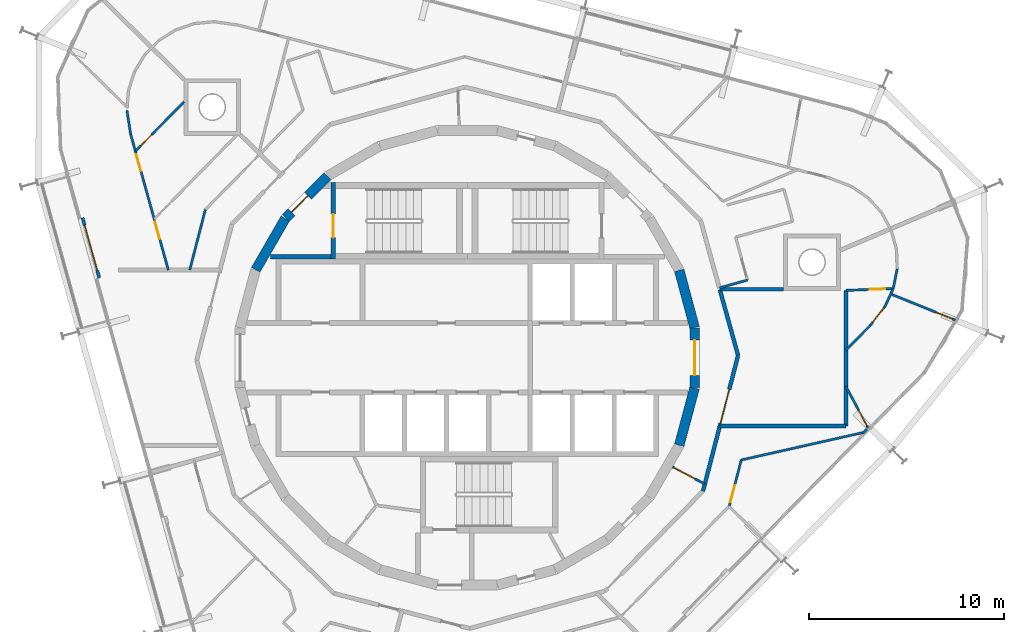
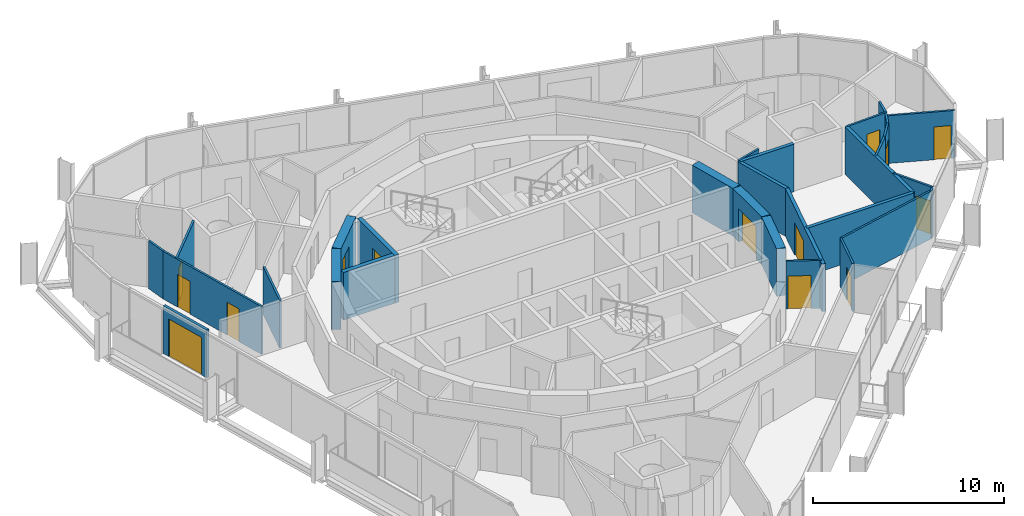
# One storey, part 12 of 15: 29 walls, 14 doors, 14 openings.
"""IFC4 building model written with IfcOpenShell, lengths in metres."""

from ifc_helpers import new_model, si_unit, direction, frame, frame_2d, origin, place, context, subcontext, project, spatial, rectangle, extrude, material, layer, layer_set, type_object, element, fill, save


model = new_model("IFC4")

# Units and contexts
model_context = context("Model", 3, precision=1e-05, world=origin(), true_north=direction((0.0, 1.0)))
body_context = subcontext(model_context, "Body", "Model", "MODEL_VIEW")
ifc_project = project(units=[si_unit("LENGTHUNIT", "METRE"), si_unit("AREAUNIT", "SQUARE_METRE"), si_unit("VOLUMEUNIT", "CUBIC_METRE"), si_unit("PLANEANGLEUNIT", "RADIAN"), si_unit("MASSUNIT", "GRAM", prefix="KILO")], contexts=[model_context])

# Site, building, storey
site_placement = place(None, origin())
site = spatial("IfcSite", under=ifc_project, at=site_placement, CompositionType="ELEMENT")
building_placement = place(site_placement, origin())
building = spatial("IfcBuilding", under=site, at=building_placement, Name="Spindle Arch Residences", CompositionType="ELEMENT")
storey_placement = place(building_placement, frame((0.0, 0.0, 322.699951171875)))
storey = spatial("IfcBuildingStorey", under=building, at=storey_placement, Name="L83", CompositionType="ELEMENT", Elevation=322.699951171875)

# Wall
ifc_material_1 = material(Name="Concrete C50/60", Category="concrete")
ifc_layer_1 = layer(ifc_material_1, 0.5)
ifc_layer_set_1 = layer_set([ifc_layer_1], Name="Core outline wall 500")
wall_type_1 = type_object("IfcWallType", Name="Core outline wall 500", PredefinedType="SHEAR", material=ifc_layer_set_1)
wall_1_placement = place(storey_placement, frame((10.858154296875, -4.479248046875, 0.0), z_axis=(0.0, 0.0, 1.0), x_axis=(0.258734743916, 0.965948410781, 0.0)))
element("IfcWall", 1, at=wall_1_placement, inside=storey, type_object=wall_type_1, Name="Core outline wall 5", PredefinedType="SHEAR", context=body_context, shape_type="SweptSolid", body=[
    extrude(rectangle(XDim=3.03271484375, YDim=0.5, at=frame_2d((1.516357421875, 0.0))), origin(), (0.0, 0.0, 1.0), 3.050048828125),
])

# Wall, opening, door
wall_2_placement = place(storey_placement, frame((11.647216796875, -1.516357421875, 0.0), z_axis=(0.0, 0.0, 1.0), x_axis=(0.0, 1.0, 0.0)))
wall_2 = element("IfcWall", 2, at=wall_2_placement, inside=storey, type_object=wall_type_1, Name="Core outline wall 6", PredefinedType="SHEAR", context=body_context, shape_type="SweptSolid", body=[
    extrude(rectangle(XDim=3.03271484375, YDim=0.5, at=frame_2d((1.516357421875, 0.0))), origin(), (0.0, 0.0, 1.0), 3.050048828125),
])
opening_1_placement = place(wall_2_placement, frame((0.6162109375, 0.0, 0.0)))
opening_1 = element("IfcOpeningElement", 3, at=opening_1_placement, cuts=wall_2, Name="Opening R8C1-FE01", PredefinedType="OPENING", context=body_context, shape_type="SweptSolid", body=[
    extrude(rectangle(XDim=1.800048828125, YDim=2.10009765625, at=frame_2d((0.89990234375, 1.050048828125))), frame((0.0, 0.260009765625, 0.0), z_axis=(0.0, -1.0, 0.0), x_axis=(1.0, 0.0, 0.0)), (0.0, 0.0, 1.0), 0.52001953125),
])
ifc_material_2 = material(Name="Steel, fire-resisting door", Category="steel")
door_type_1 = type_object("IfcDoorType", Name="Fire-lift lobby door 1800x2100", OperationType="DOUBLE_DOOR_SINGLE_SWING", PredefinedType="DOOR", material=ifc_material_2)
door_1_placement = place(opening_1_placement, origin())
door_1 = element("IfcDoor", 4, at=door_1_placement, inside=storey, type_object=door_type_1, Name="Fire-lift lobby door R8C1-FE01", OperationType="DOUBLE_DOOR_SINGLE_SWING", OverallHeight=2.10009765625, OverallWidth=1.800048828125, PredefinedType="DOOR", context=body_context, shape_type="SweptSolid", body=[
    extrude(rectangle(XDim=1.800048828125, YDim=2.10009765625, at=frame_2d((0.89990234375, 1.050048828125))), frame((0.0, 0.02490234375, 0.0), z_axis=(0.0, -1.0, 0.0), x_axis=(1.0, 0.0, 0.0)), (0.0, 0.0, 1.0), 0.050048828125),
])
fill(opening_1, door_1)

# Wall
wall_3_placement = place(storey_placement, frame((11.642822265625, 1.5498046875, 0.0), z_axis=(0.0, 0.0, 1.0), x_axis=(-0.258734743916, 0.965948410781, 0.0)))
element("IfcWall", 5, at=wall_3_placement, inside=storey, type_object=wall_type_1, Name="Core outline wall 7", PredefinedType="SHEAR", context=body_context, shape_type="SweptSolid", body=[
    extrude(rectangle(XDim=3.03271484375, YDim=0.5, at=frame_2d((1.516357421875, 0.0))), origin(), (0.0, 0.0, 1.0), 3.050048828125),
])

# Wall, opening, door
wall_4_placement = place(storey_placement, frame((-7.163818359375, 9.30810546875, 0.0), z_axis=(0.0, 0.0, 1.0), x_axis=(-0.707106781187, -0.707106781187, 0.0)))
wall_4 = element("IfcWall", 6, at=wall_4_placement, inside=storey, type_object=wall_type_1, Name="Core outline wall 15", PredefinedType="SHEAR", context=body_context, shape_type="SweptSolid", body=[
    extrude(rectangle(XDim=3.032470703125, YDim=0.5, at=frame_2d((1.51611328125, 0.0))), origin(), (0.0, 0.0, 1.0), 3.050048828125),
])
opening_2_placement = place(wall_4_placement, frame((1.416259765625, 0.0, 0.0)))
opening_2 = element("IfcOpeningElement", 7, at=opening_2_placement, cuts=wall_4, Name="Opening R8C1-AD02", PredefinedType="OPENING", context=body_context, shape_type="SweptSolid", body=[
    extrude(rectangle(XDim=1.199951171875, YDim=2.10009765625, at=frame_2d((0.60009765625, 1.050048828125))), frame((0.0, 0.260009765625, 0.0), z_axis=(0.0, -1.0, 0.0), x_axis=(1.0, 0.0, 0.0)), (0.0, 0.0, 1.0), 0.52001953125),
])
ifc_material_3 = material(Name="Steel, fire-resisting door", Category="steel")
door_type_2 = type_object("IfcDoorType", Name="Stair airlock door 1200x2100", OperationType="SINGLE_SWING_LEFT", PredefinedType="DOOR", material=ifc_material_3)
door_2_placement = place(opening_2_placement, origin())
door_2 = element("IfcDoor", 8, at=door_2_placement, inside=storey, type_object=door_type_2, Name="Stair airlock door R8C1-AD02", OperationType="SINGLE_SWING_RIGHT", OverallHeight=2.10009765625, OverallWidth=1.199951171875, PredefinedType="DOOR", context=body_context, shape_type="SweptSolid", body=[
    extrude(rectangle(XDim=1.199951171875, YDim=2.10009765625, at=frame_2d((0.60009765625, 1.050048828125))), frame((0.0, 0.02490234375, 0.0), z_axis=(0.0, -1.0, 0.0), x_axis=(1.0, 0.0, 0.0)), (0.0, 0.0, 1.0), 0.050048828125),
])
fill(opening_2, door_2)

# Wall
wall_5_placement = place(storey_placement, frame((-9.32861328125, 7.13671875, 0.0), z_axis=(0.0, 0.0, 1.0), x_axis=(-0.500087131594, -0.865975092491, 0.0)))
element("IfcWall", 9, at=wall_5_placement, inside=storey, type_object=wall_type_1, Name="Core outline wall 16", PredefinedType="SHEAR", context=body_context, shape_type="SweptSolid", body=[
    extrude(rectangle(XDim=3.03271484375, YDim=0.5, at=frame_2d((1.516357421875, 0.0))), origin(), (0.0, 0.0, 1.0), 3.050048828125),
])

# Wall, opening, door
ifc_material_4 = material(Name="Plasterboard on steel studs", Category="steel")
ifc_layer_2 = layer(ifc_material_4, 0.1201171875)
ifc_layer_set_2 = layer_set([ifc_layer_2], Name="Corridor division wall 120")
wall_type_2 = type_object("IfcWallType", Name="Corridor division wall 120", PredefinedType="PARTITIONING", material=ifc_layer_set_2)
wall_6_placement = place(storey_placement, frame((10.510986328125, -5.5888671875, 0.0), z_axis=(0.0, 0.0, 1.0), x_axis=(0.882957311919, -0.469453283437, 0.0)))
wall_6 = element("IfcWall", 10, at=wall_6_placement, inside=storey, type_object=wall_type_2, Name="Corridor division wall R8C1-W002", PredefinedType="PARTITIONING", context=body_context, shape_type="SweptSolid", body=[
    extrude(rectangle(XDim=1.87646484375, YDim=0.1201171875, at=frame_2d((0.938232421875, 0.0))), origin(), (0.0, 0.0, 1.0), 3.050048828125),
])
opening_3_placement = place(wall_6_placement, frame((0.10009765625, 0.0, 0.0)))
opening_3 = element("IfcOpeningElement", 11, at=opening_3_placement, cuts=wall_6, Name="Opening R8C1-CD02", PredefinedType="OPENING", context=body_context, shape_type="SweptSolid", body=[
    extrude(rectangle(XDim=1.199951171875, YDim=2.10009765625, at=frame_2d((0.60009765625, 1.050048828125))), frame((0.0, 0.070068359375, 0.0), z_axis=(0.0, -1.0, 0.0), x_axis=(1.0, 0.0, 0.0)), (0.0, 0.0, 1.0), 0.14013671875),
])
ifc_material_5 = material(Name="Steel, fire-resisting door", Category="steel")
door_type_3 = type_object("IfcDoorType", Name="Corridor division door 1200x2100", OperationType="NOTDEFINED", PredefinedType="DOOR", material=ifc_material_5)
door_3_placement = place(opening_3_placement, origin())
door_3 = element("IfcDoor", 12, at=door_3_placement, inside=storey, type_object=door_type_3, Name="Corridor division door R8C1-CD02", OperationType="DOUBLE_DOOR_SINGLE_SWING", OverallHeight=2.10009765625, OverallWidth=1.199951171875, PredefinedType="DOOR", context=body_context, shape_type="SweptSolid", body=[
    extrude(rectangle(XDim=1.199951171875, YDim=2.10009765625, at=frame_2d((0.60009765625, 1.050048828125))), frame((0.0, 0.02490234375, 0.0), z_axis=(0.0, -1.0, 0.0), x_axis=(1.0, 0.0, 0.0)), (0.0, 0.0, 1.0), 0.050048828125),
])
fill(opening_3, door_3)

ifc_material_6 = material(Name="Calcium silicate block, plastered")
ifc_layer_3 = layer(ifc_material_6, 0.199951171875)
ifc_layer_set_3 = layer_set([ifc_layer_3], Name="Fire-lift lobby bay wall 200")
wall_type_3 = type_object("IfcWallType", Name="Fire-lift lobby bay wall 200", PredefinedType="STANDARD", material=ifc_layer_set_3)
wall_7_placement = place(storey_placement, frame((12.07421875, -6.831298828125, 0.0), z_axis=(0.0, 0.0, 1.0), x_axis=(0.250391063186, 0.968144780225, 0.0)))
wall_7 = element("IfcWall", 13, at=wall_7_placement, inside=storey, type_object=wall_type_3, Name="Fire-lift lobby bay wall R8C1-W004", PredefinedType="STANDARD", context=body_context, shape_type="SweptSolid", body=[
    extrude(rectangle(XDim=7.18115234375, YDim=0.199951171875, at=frame_2d((3.590576171875, 0.0))), origin(), (0.0, 0.0, 1.0), 3.050048828125),
])
opening_4_placement = place(wall_7_placement, frame((3.580810546875, 0.0, 0.0)))
opening_4 = element("IfcOpeningElement", 14, at=opening_4_placement, cuts=wall_7, Name="Opening R8C1-FB01", PredefinedType="OPENING", context=body_context, shape_type="SweptSolid", body=[
    extrude(rectangle(XDim=1.800048828125, YDim=2.10009765625, at=frame_2d((0.89990234375, 1.050048828125))), frame((0.0, 0.10986328125, 0.0), z_axis=(0.0, -1.0, 0.0), x_axis=(1.0, 0.0, 0.0)), (0.0, 0.0, 1.0), 0.219970703125),
])
ifc_material_7 = material(Name="Steel, fire-resisting door", Category="steel")
door_type_4 = type_object("IfcDoorType", Name="Fire-lift lobby bay door 1800x2100", OperationType="NOTDEFINED", PredefinedType="DOOR", material=ifc_material_7)
door_4_placement = place(opening_4_placement, origin())
door_4 = element("IfcDoor", 15, at=door_4_placement, inside=storey, type_object=door_type_4, Name="Fire-lift lobby bay door R8C1-FB01", OperationType="DOUBLE_DOOR_SINGLE_SWING", OverallHeight=2.10009765625, OverallWidth=1.800048828125, PredefinedType="DOOR", context=body_context, shape_type="SweptSolid", body=[
    extrude(rectangle(XDim=1.800048828125, YDim=2.10009765625, at=frame_2d((0.89990234375, 1.050048828125))), frame((0.0, 0.02490234375, 0.0), z_axis=(0.0, -1.0, 0.0), x_axis=(1.0, 0.0, 0.0)), (0.0, 0.0, 1.0), 0.050048828125),
])
fill(opening_4, door_4)

# Walls
wall_8_placement = place(storey_placement, frame((13.872314453125, 0.12109375, 0.0), z_axis=(0.0, 0.0, 1.0), x_axis=(-0.267291928416, 0.963615600228, 0.0)))
element("IfcWall", 16, at=wall_8_placement, inside=storey, type_object=wall_type_3, Name="Fire-lift lobby bay wall R8C1-W005", PredefinedType="STANDARD", context=body_context, shape_type="SweptSolid", body=[
    extrude(rectangle(XDim=3.506591796875, YDim=0.199951171875, at=frame_2d((1.75341796875, 0.0))), origin(), (0.0, 0.0, 1.0), 3.050048828125),
])
wall_9_placement = place(storey_placement, frame((16.20263671875, 3.510009765625, 0.0), z_axis=(0.0, 0.0, 1.0), x_axis=(-1.0, 0.0, 0.0)))
element("IfcWall", 17, at=wall_9_placement, inside=storey, type_object=wall_type_3, Name="Fire-lift lobby bay wall R8C1-W019", PredefinedType="STANDARD", context=body_context, shape_type="SweptSolid", body=[
    extrude(rectangle(XDim=3.260009765625, YDim=0.199951171875, at=frame_2d((1.6298828125, 0.0))), origin(), (0.0, 0.0, 1.0), 3.050048828125),
])
wall_10_placement = place(storey_placement, frame((12.935791015625, -3.5, 0.0), z_axis=(0.0, 0.0, 1.0), x_axis=(1.0, 0.0, 0.0)))
element("IfcWall", 18, at=wall_10_placement, inside=storey, type_object=wall_type_3, Name="Fire-lift lobby bay wall R8C1-W020", PredefinedType="STANDARD", context=body_context, shape_type="SweptSolid", body=[
    extrude(rectangle(XDim=6.464111328125, YDim=0.199951171875, at=frame_2d((3.23193359375, 0.0))), origin(), (0.0, 0.0, 1.0), 3.050048828125),
])
wall_11_placement = place(storey_placement, frame((19.39990234375, -3.5, 0.0), z_axis=(0.0, 0.0, 1.0), x_axis=(0.0, 1.0, 0.0)))
element("IfcWall", 19, at=wall_11_placement, inside=storey, type_object=wall_type_3, Name="Fire-lift lobby bay wall R8C1-W021", PredefinedType="STANDARD", context=body_context, shape_type="SweptSolid", body=[
    extrude(rectangle(XDim=6.953857421875, YDim=0.199951171875, at=frame_2d((3.47705078125, 0.0))), origin(), (0.0, 0.0, 1.0), 3.050048828125),
])
ifc_material_8 = material(Name="Plasterboard on steel studs", Category="steel")
ifc_layer_4 = layer(ifc_material_8, 0.1201171875)
ifc_layer_set_4 = layer_set([ifc_layer_4], Name="Flat partition 120")
wall_type_4 = type_object("IfcWallType", Name="Flat partition 120", PredefinedType="PARTITIONING", material=ifc_layer_set_4)
wall_12_placement = place(storey_placement, frame((12.927001953125, 3.5849609375, 0.0), z_axis=(0.0, 0.0, 1.0), x_axis=(0.963616756608, 0.26728775951, 0.0)))
element("IfcWall", 20, at=wall_12_placement, inside=storey, type_object=wall_type_4, Name="Flat partition R8C1-W030", PredefinedType="PARTITIONING", context=body_context, shape_type="SweptSolid", body=[
    extrude(rectangle(XDim=1.485107421875, YDim=0.1201171875, at=frame_2d((0.74267578125, 0.0))), origin(), (0.0, 0.0, 1.0), 3.050048828125),
])
wall_13_placement = place(storey_placement, frame((-13.42578125, 7.595947265625, 0.0), z_axis=(0.0, 0.0, 1.0), x_axis=(-0.250342106136, -0.968157440655, 0.0)))
element("IfcWall", 21, at=wall_13_placement, inside=storey, type_object=wall_type_4, Name="Flat partition R8C1-W058", PredefinedType="PARTITIONING", context=body_context, shape_type="SweptSolid", body=[
    extrude(rectangle(XDim=3.19775390625, YDim=0.1201171875, at=frame_2d((1.598876953125, 0.0))), origin(), (0.0, 0.0, 1.0), 3.050048828125),
])

# Wall, opening, door
wall_14_placement = place(storey_placement, frame((-17.01123046875, 10.582275390625, 0.0), z_axis=(0.0, 0.0, 1.0), x_axis=(0.700924288011, 0.713235685083, 0.0)))
wall_14 = element("IfcWall", 22, at=wall_14_placement, inside=storey, type_object=wall_type_4, Name="Flat partition R8C1-W063", PredefinedType="PARTITIONING", context=body_context, shape_type="SweptSolid", body=[
    extrude(rectangle(XDim=3.549560546875, YDim=0.1201171875, at=frame_2d((1.77490234375, 0.0))), origin(), (0.0, 0.0, 1.0), 3.050048828125),
])
opening_5_placement = place(wall_14_placement, frame((0.39990234375, 0.0, 0.0)))
opening_5 = element("IfcOpeningElement", 23, at=opening_5_placement, cuts=wall_14, Name="Opening R8C1-BD03", PredefinedType="OPENING", context=body_context, shape_type="SweptSolid", body=[
    extrude(rectangle(XDim=0.800048828125, YDim=2.10009765625, at=frame_2d((0.39990234375, 1.050048828125))), frame((0.0, 0.070068359375, 0.0), z_axis=(0.0, -1.0, 0.0), x_axis=(1.0, 0.0, 0.0)), (0.0, 0.0, 1.0), 0.14013671875),
])
ifc_material_9 = material(Name="Timber door set", Category="wood")
door_type_5 = type_object("IfcDoorType", Name="Bathroom door 800x2100", OperationType="NOTDEFINED", PredefinedType="DOOR", material=ifc_material_9)
door_5_placement = place(opening_5_placement, origin())
door_5 = element("IfcDoor", 24, at=door_5_placement, inside=storey, type_object=door_type_5, Name="Bathroom door R8C1-BD03", OperationType="SINGLE_SWING_LEFT", OverallHeight=2.10009765625, OverallWidth=0.800048828125, PredefinedType="DOOR", context=body_context, shape_type="SweptSolid", body=[
    extrude(rectangle(XDim=0.800048828125, YDim=2.10009765625, at=frame_2d((0.39990234375, 1.050048828125))), frame((0.0, 0.02490234375, 0.0), z_axis=(0.0, -1.0, 0.0), x_axis=(1.0, 0.0, 0.0)), (0.0, 0.0, 1.0), 0.050048828125),
])
fill(opening_5, door_5)

# Wall
wall_15_placement = place(storey_placement, frame((-17.44580078125, 12.681640625, 0.0), z_axis=(0.0, 0.0, 1.0), x_axis=(0.153612025092, -0.988131239131, 0.0)))
element("IfcWall", 25, at=wall_15_placement, inside=storey, type_object=wall_type_4, Name="Flat partition R8C1-W064", PredefinedType="PARTITIONING", context=body_context, shape_type="SweptSolid", body=[
    extrude(rectangle(XDim=1.22705078125, YDim=0.1201171875, at=frame_2d((0.613525390625, 0.0))), origin(), (0.0, 0.0, 1.0), 3.050048828125),
])

# Wall, openings, doors
wall_16_placement = place(storey_placement, frame((-17.25732421875, 11.46923828125, 0.0), z_axis=(0.0, 0.0, 1.0), x_axis=(0.267222501114, -0.963634855585, 0.0)))
wall_16 = element("IfcWall", 26, at=wall_16_placement, inside=storey, type_object=wall_type_4, Name="Flat partition R8C1-W065", PredefinedType="PARTITIONING", context=body_context, shape_type="SweptSolid", body=[
    extrude(rectangle(XDim=7.232177734375, YDim=0.1201171875, at=frame_2d((3.6162109375, 0.0))), origin(), (0.0, 0.0, 1.0), 3.050048828125),
])
opening_6_placement = place(wall_16_placement, frame((1.07421875, 0.0, 0.0)))
opening_6 = element("IfcOpeningElement", 27, at=opening_6_placement, cuts=wall_16, Name="Opening R8C1-ID10", PredefinedType="OPENING", context=body_context, shape_type="SweptSolid", body=[
    extrude(rectangle(XDim=0.89990234375, YDim=2.10009765625, at=frame_2d((0.449951171875, 1.050048828125))), frame((0.0, 0.070068359375, 0.0), z_axis=(0.0, -1.0, 0.0), x_axis=(1.0, 0.0, 0.0)), (0.0, 0.0, 1.0), 0.14013671875),
])
opening_7_placement = place(wall_16_placement, frame((4.682373046875, 0.0, 0.0)))
opening_7 = element("IfcOpeningElement", 28, at=opening_7_placement, cuts=wall_16, Name="Opening R8C1-ID12", PredefinedType="OPENING", context=body_context, shape_type="SweptSolid", body=[
    extrude(rectangle(XDim=0.89990234375, YDim=2.10009765625, at=frame_2d((0.449951171875, 1.050048828125))), frame((0.0, 0.070068359375, 0.0), z_axis=(0.0, -1.0, 0.0), x_axis=(1.0, 0.0, 0.0)), (0.0, 0.0, 1.0), 0.14013671875),
])
ifc_material_10 = material(Name="Timber door set", Category="wood")
door_type_6 = type_object("IfcDoorType", Name="Room door 900x2100", OperationType="NOTDEFINED", PredefinedType="DOOR", material=ifc_material_10)
door_6_placement = place(opening_6_placement, origin())
door_6 = element("IfcDoor", 29, at=door_6_placement, inside=storey, type_object=door_type_6, Name="Room door R8C1-ID10", OperationType="SINGLE_SWING_LEFT", OverallHeight=2.10009765625, OverallWidth=0.89990234375, PredefinedType="DOOR", context=body_context, shape_type="SweptSolid", body=[
    extrude(rectangle(XDim=0.89990234375, YDim=2.10009765625, at=frame_2d((0.449951171875, 1.050048828125))), frame((0.0, 0.02490234375, 0.0), z_axis=(0.0, -1.0, 0.0), x_axis=(1.0, 0.0, 0.0)), (0.0, 0.0, 1.0), 0.050048828125),
])
fill(opening_6, door_6)
door_7_placement = place(opening_7_placement, origin())
door_7 = element("IfcDoor", 30, at=door_7_placement, inside=storey, type_object=door_type_6, Name="Room door R8C1-ID12", OperationType="SINGLE_SWING_RIGHT", OverallHeight=2.10009765625, OverallWidth=0.89990234375, PredefinedType="DOOR", context=body_context, shape_type="SweptSolid", body=[
    extrude(rectangle(XDim=0.89990234375, YDim=2.10009765625, at=frame_2d((0.449951171875, 1.050048828125))), frame((0.0, 0.02490234375, 0.0), z_axis=(0.0, -1.0, 0.0), x_axis=(1.0, 0.0, 0.0)), (0.0, 0.0, 1.0), 0.050048828125),
])
fill(opening_7, door_7)

# Wall, opening, door
wall_17_placement = place(storey_placement, frame((20.534912109375, -3.592529296875, 0.0), z_axis=(0.0, 0.0, 1.0), x_axis=(-0.471340561072, 0.881951288614, 0.0)))
wall_17 = element("IfcWall", 31, at=wall_17_placement, inside=storey, type_object=wall_type_4, Name="Flat partition R8C1-W092", PredefinedType="PARTITIONING", context=body_context, shape_type="SweptSolid", body=[
    extrude(rectangle(XDim=2.407958984375, YDim=0.1201171875, at=frame_2d((1.2041015625, 0.0))), origin(), (0.0, 0.0, 1.0), 3.050048828125),
])
opening_8_placement = place(wall_17_placement, frame((0.1201171875, 0.0, 0.0)))
opening_8 = element("IfcOpeningElement", 32, at=opening_8_placement, cuts=wall_17, Name="Opening R8C1-ID21", PredefinedType="OPENING", context=body_context, shape_type="SweptSolid", body=[
    extrude(rectangle(XDim=0.89990234375, YDim=2.10009765625, at=frame_2d((0.449951171875, 1.050048828125))), frame((0.0, 0.070068359375, 0.0), z_axis=(0.0, -1.0, 0.0), x_axis=(1.0, 0.0, 0.0)), (0.0, 0.0, 1.0), 0.14013671875),
])
door_8_placement = place(opening_8_placement, origin())
door_8 = element("IfcDoor", 33, at=door_8_placement, inside=storey, type_object=door_type_6, Name="Room door R8C1-ID21", OperationType="SINGLE_SWING_RIGHT", OverallHeight=2.10009765625, OverallWidth=0.89990234375, PredefinedType="DOOR", context=body_context, shape_type="SweptSolid", body=[
    extrude(rectangle(XDim=0.89990234375, YDim=2.10009765625, at=frame_2d((0.449951171875, 1.050048828125))), frame((0.0, 0.02490234375, 0.0), z_axis=(0.0, -1.0, 0.0), x_axis=(1.0, 0.0, 0.0)), (0.0, 0.0, 1.0), 0.050048828125),
])
fill(opening_8, door_8)

wall_18_placement = place(storey_placement, frame((13.42578125, -7.595947265625, 0.0), z_axis=(0.0, 0.0, 1.0), x_axis=(0.250402253482, 0.968141886012, 0.0)))
wall_18 = element("IfcWall", 34, at=wall_18_placement, inside=storey, type_object=wall_type_4, Name="Flat partition R8C1-W094", PredefinedType="PARTITIONING", context=body_context, shape_type="SweptSolid", body=[
    extrude(rectangle(XDim=2.4365234375, YDim=0.1201171875, at=frame_2d((1.21826171875, 0.0))), origin(), (0.0, 0.0, 1.0), 3.050048828125),
])
opening_9_placement = place(wall_18_placement, frame((0.199951171875, 0.0, 0.0)))
opening_9 = element("IfcOpeningElement", 35, at=opening_9_placement, cuts=wall_18, Name="Opening R8C1-ID23", PredefinedType="OPENING", context=body_context, shape_type="SweptSolid", body=[
    extrude(rectangle(XDim=0.89990234375, YDim=2.10009765625, at=frame_2d((0.449951171875, 1.050048828125))), frame((0.0, 0.070068359375, 0.0), z_axis=(0.0, -1.0, 0.0), x_axis=(1.0, 0.0, 0.0)), (0.0, 0.0, 1.0), 0.14013671875),
])
door_9_placement = place(opening_9_placement, origin())
door_9 = element("IfcDoor", 36, at=door_9_placement, inside=storey, type_object=door_type_6, Name="Room door R8C1-ID23", OperationType="SINGLE_SWING_RIGHT", OverallHeight=2.10009765625, OverallWidth=0.89990234375, PredefinedType="DOOR", context=body_context, shape_type="SweptSolid", body=[
    extrude(rectangle(XDim=0.89990234375, YDim=2.10009765625, at=frame_2d((0.449951171875, 1.050048828125))), frame((0.0, 0.02490234375, 0.0), z_axis=(0.0, -1.0, 0.0), x_axis=(1.0, 0.0, 0.0)), (0.0, 0.0, 1.0), 0.050048828125),
])
fill(opening_9, door_9)

# Walls
wall_19_placement = place(storey_placement, frame((14.035888671875, -5.237060546875, 0.0), z_axis=(0.0, 0.0, 1.0), x_axis=(0.975645756324, 0.219352132805, 0.0)))
element("IfcWall", 37, at=wall_19_placement, inside=storey, type_object=wall_type_4, Name="Flat partition R8C1-W095", PredefinedType="PARTITIONING", context=body_context, shape_type="SweptSolid", body=[
    extrude(rectangle(XDim=6.42431640625, YDim=0.1201171875, at=frame_2d((3.212158203125, 0.0))), origin(), (0.0, 0.0, 1.0), 3.050048828125),
])
wall_20_placement = place(storey_placement, frame((20.471435546875, -3.6572265625, 0.0), z_axis=(0.0, 0.0, 1.0), x_axis=(-0.700842635321, -0.713315919153, 0.0)))
element("IfcWall", 38, at=wall_20_placement, inside=storey, type_object=wall_type_4, Name="Flat partition R8C1-W096", PredefinedType="PARTITIONING", context=body_context, shape_type="SweptSolid", body=[
    extrude(rectangle(XDim=0.313232421875, YDim=0.1201171875, at=frame_2d((0.15673828125, 0.0))), origin(), (0.0, 0.0, 1.0), 3.050048828125),
])
wall_21_placement = place(storey_placement, frame((21.827880859375, 3.558349609375, 0.0), z_axis=(0.0, 0.0, 1.0), x_axis=(-0.414726005229, -0.909946339399, 0.0)))
element("IfcWall", 39, at=wall_21_placement, inside=storey, type_object=wall_type_4, Name="Flat partition R8C1-W097", PredefinedType="PARTITIONING", context=body_context, shape_type="SweptSolid", body=[
    extrude(rectangle(XDim=1.01611328125, YDim=0.1201171875, at=frame_2d((0.508056640625, 0.0))), origin(), (0.0, 0.0, 1.0), 3.050048828125),
])

# Wall, opening, door
wall_22_placement = place(storey_placement, frame((21.406494140625, 2.6337890625, 0.0), z_axis=(0.0, 0.0, 1.0), x_axis=(-0.613444581667, -0.789737769911, 0.0)))
wall_22 = element("IfcWall", 40, at=wall_22_placement, inside=storey, type_object=wall_type_4, Name="Flat partition R8C1-W098", PredefinedType="PARTITIONING", context=body_context, shape_type="SweptSolid", body=[
    extrude(rectangle(XDim=1.22705078125, YDim=0.1201171875, at=frame_2d((0.613525390625, 0.0))), origin(), (0.0, 0.0, 1.0), 3.050048828125),
])
opening_10_placement = place(wall_22_placement, frame((0.1201171875, 0.0, 0.0)))
opening_10 = element("IfcOpeningElement", 41, at=opening_10_placement, cuts=wall_22, Name="Opening R8C1-ID24", PredefinedType="OPENING", context=body_context, shape_type="SweptSolid", body=[
    extrude(rectangle(XDim=0.89990234375, YDim=2.10009765625, at=frame_2d((0.449951171875, 1.050048828125))), frame((0.0, 0.070068359375, 0.0), z_axis=(0.0, -1.0, 0.0), x_axis=(1.0, 0.0, 0.0)), (0.0, 0.0, 1.0), 0.14013671875),
])
door_10_placement = place(opening_10_placement, origin())
door_10 = element("IfcDoor", 42, at=door_10_placement, inside=storey, type_object=door_type_6, Name="Room door R8C1-ID24", OperationType="SINGLE_SWING_RIGHT", OverallHeight=2.10009765625, OverallWidth=0.89990234375, PredefinedType="DOOR", context=body_context, shape_type="SweptSolid", body=[
    extrude(rectangle(XDim=0.89990234375, YDim=2.10009765625, at=frame_2d((0.449951171875, 1.050048828125))), frame((0.0, 0.02490234375, 0.0), z_axis=(0.0, -1.0, 0.0), x_axis=(1.0, 0.0, 0.0)), (0.0, 0.0, 1.0), 0.050048828125),
])
fill(opening_10, door_10)

# Wall
wall_23_placement = place(storey_placement, frame((20.65380859375, 1.664794921875, 0.0), z_axis=(0.0, 0.0, 1.0), x_axis=(-0.700870484553, -0.713288555833, 0.0)))
element("IfcWall", 43, at=wall_23_placement, inside=storey, type_object=wall_type_4, Name="Flat partition R8C1-W099", PredefinedType="PARTITIONING", context=body_context, shape_type="SweptSolid", body=[
    extrude(rectangle(XDim=1.7890625, YDim=0.1201171875, at=frame_2d((0.89453125, 0.0))), origin(), (0.0, 0.0, 1.0), 3.050048828125),
])

# Wall, opening, door
wall_24_placement = place(storey_placement, frame((25.0361328125, 1.917236328125, 0.0), z_axis=(0.0, 0.0, 1.0), x_axis=(-0.927096540393, 0.374822631108, 0.0)))
wall_24 = element("IfcWall", 44, at=wall_24_placement, inside=storey, type_object=wall_type_4, Name="Flat partition R8C1-W100", PredefinedType="PARTITIONING", context=body_context, shape_type="SweptSolid", body=[
    extrude(rectangle(XDim=3.603271484375, YDim=0.1201171875, at=frame_2d((1.8017578125, 0.0))), origin(), (0.0, 0.0, 1.0), 3.050048828125),
])
opening_11_placement = place(wall_24_placement, frame((0.199951171875, 0.0, 0.0)))
opening_11 = element("IfcOpeningElement", 45, at=opening_11_placement, cuts=wall_24, Name="Opening R8C1-ID25", PredefinedType="OPENING", context=body_context, shape_type="SweptSolid", body=[
    extrude(rectangle(XDim=0.89990234375, YDim=2.10009765625, at=frame_2d((0.449951171875, 1.050048828125))), frame((0.0, 0.070068359375, 0.0), z_axis=(0.0, -1.0, 0.0), x_axis=(1.0, 0.0, 0.0)), (0.0, 0.0, 1.0), 0.14013671875),
])
door_11_placement = place(opening_11_placement, origin())
door_11 = element("IfcDoor", 46, at=door_11_placement, inside=storey, type_object=door_type_6, Name="Room door R8C1-ID25", OperationType="SINGLE_SWING_RIGHT", OverallHeight=2.10009765625, OverallWidth=0.89990234375, PredefinedType="DOOR", context=body_context, shape_type="SweptSolid", body=[
    extrude(rectangle(XDim=0.89990234375, YDim=2.10009765625, at=frame_2d((0.449951171875, 1.050048828125))), frame((0.0, 0.02490234375, 0.0), z_axis=(0.0, -1.0, 0.0), x_axis=(1.0, 0.0, 0.0)), (0.0, 0.0, 1.0), 0.050048828125),
])
fill(opening_11, door_11)

wall_25_placement = place(storey_placement, frame((21.822021484375, 3.54541015625, 0.0), z_axis=(0.0, 0.0, 1.0), x_axis=(-0.999286397149, -0.037771635816, 0.0)))
wall_25 = element("IfcWall", 47, at=wall_25_placement, inside=storey, type_object=wall_type_4, Name="Flat partition R8C1-W101", PredefinedType="PARTITIONING", context=body_context, shape_type="SweptSolid", body=[
    extrude(rectangle(XDim=2.423828125, YDim=0.1201171875, at=frame_2d((1.2119140625, 0.0))), origin(), (0.0, 0.0, 1.0), 3.050048828125),
])
opening_12_placement = place(wall_25_placement, frame((0.39990234375, 0.0, 0.0)))
opening_12 = element("IfcOpeningElement", 48, at=opening_12_placement, cuts=wall_25, Name="Opening R8C1-BD06", PredefinedType="OPENING", context=body_context, shape_type="SweptSolid", body=[
    extrude(rectangle(XDim=0.800048828125, YDim=2.10009765625, at=frame_2d((0.39990234375, 1.050048828125))), frame((0.0, 0.070068359375, 0.0), z_axis=(0.0, -1.0, 0.0), x_axis=(1.0, 0.0, 0.0)), (0.0, 0.0, 1.0), 0.14013671875),
])
door_12_placement = place(opening_12_placement, origin())
door_12 = element("IfcDoor", 49, at=door_12_placement, inside=storey, type_object=door_type_5, Name="Bathroom door R8C1-BD06", OperationType="SINGLE_SWING_RIGHT", OverallHeight=2.10009765625, OverallWidth=0.800048828125, PredefinedType="DOOR", context=body_context, shape_type="SweptSolid", body=[
    extrude(rectangle(XDim=0.800048828125, YDim=2.10009765625, at=frame_2d((0.39990234375, 1.050048828125))), frame((0.0, 0.02490234375, 0.0), z_axis=(0.0, -1.0, 0.0), x_axis=(1.0, 0.0, 0.0)), (0.0, 0.0, 1.0), 0.050048828125),
])
fill(opening_12, door_12)

# Wall
wall_26_placement = place(storey_placement, frame((22.024658203125, 4.554931640625, 0.0), z_axis=(0.0, 0.0, 1.0), x_axis=(-0.193712169286, -0.981058405739, 0.0)))
element("IfcWall", 50, at=wall_26_placement, inside=storey, type_object=wall_type_4, Name="Flat partition R8C1-W104", PredefinedType="PARTITIONING", context=body_context, shape_type="SweptSolid", body=[
    extrude(rectangle(XDim=1.015869140625, YDim=0.1201171875, at=frame_2d((0.5078125, 0.0))), origin(), (0.0, 0.0, 1.0), 3.050048828125),
])

# Wall, opening, door
ifc_material_11 = material(Name="Non-combustible mineral wool insulated aluminium faced external wall (K0)", Category="aluminium")
ifc_layer_5 = layer(ifc_material_11, 0.159912109375)
ifc_layer_set_5 = layer_set([ifc_layer_5], Name="Insulated external wall panel 160")
wall_type_5 = type_object("IfcWallType", Name="Insulated external wall panel 160", PredefinedType="STANDARD", material=ifc_layer_set_5)
wall_27_placement = place(storey_placement, frame((-19.71826171875, 7.17138671875, 0.0), z_axis=(0.0, 0.0, 1.0), x_axis=(0.267266077957, -0.963622770369, 0.0)))
wall_27 = element("IfcWall", 51, at=wall_27_placement, inside=storey, type_object=wall_type_5, Name="External wall L83 bay 12", PredefinedType="STANDARD", context=body_context, shape_type="SweptSolid", body=[
    extrude(rectangle(XDim=3.199951171875, YDim=0.159912109375, at=frame_2d((1.60009765625, 0.0))), origin(), (0.0, 0.0, 1.0), 3.050048828125),
])
opening_13_placement = place(wall_27_placement, frame((0.39990234375, 0.0, 0.0)))
opening_13 = element("IfcOpeningElement", 52, at=opening_13_placement, cuts=wall_27, Name="Opening BD12", PredefinedType="OPENING", context=body_context, shape_type="SweptSolid", body=[
    extrude(rectangle(XDim=2.39990234375, YDim=2.39990234375, at=frame_2d((1.199951171875, 1.199951171875))), frame((0.0, 0.08984375, 0.0), z_axis=(0.0, -1.0, 0.0), x_axis=(1.0, 0.0, 0.0)), (0.0, 0.0, 1.0), 0.179931640625),
])
ifc_material_12 = material(Name="Bronze aluminium frame, tinted double glazing", Category="aluminium")
door_type_7 = type_object("IfcDoorType", Name="Sliding glazed balcony door 2400x2400", OperationType="DOUBLE_DOOR_SLIDING", PredefinedType="DOOR", material=ifc_material_12)
door_13_placement = place(opening_13_placement, origin())
door_13 = element("IfcDoor", 53, at=door_13_placement, inside=storey, type_object=door_type_7, Name="Balcony door BD12", OperationType="DOUBLE_DOOR_SLIDING", OverallHeight=2.39990234375, OverallWidth=2.39990234375, PredefinedType="DOOR", context=body_context, shape_type="SweptSolid", body=[
    extrude(rectangle(XDim=2.39990234375, YDim=2.39990234375, at=frame_2d((1.199951171875, 1.199951171875))), frame((0.0, 0.02490234375, 0.0), z_axis=(0.0, -1.0, 0.0), x_axis=(1.0, 0.0, 0.0)), (0.0, 0.0, 1.0), 0.050048828125),
])
fill(opening_13, door_13)

# Wall
ifc_material_13 = material(Name="Concrete C40/50", Category="concrete")
ifc_layer_6 = layer(ifc_material_13, 0.25)
ifc_layer_set_6 = layer_set([ifc_layer_6], Name="Stair airlock wall 250")
wall_type_6 = type_object("IfcWallType", Name="Stair airlock wall 250", PredefinedType="SHEAR", material=ifc_layer_set_6)
wall_28_placement = place(storey_placement, frame((-7.0, 5.175048828125, 0.0), z_axis=(0.0, 0.0, 1.0), x_axis=(-1.0, 0.0, 0.0)))
element("IfcWall", 54, at=wall_28_placement, inside=storey, type_object=wall_type_6, Name="Stair ST-2 airlock wall S", PredefinedType="SHEAR", context=body_context, shape_type="SweptSolid", body=[
    extrude(rectangle(XDim=3.10009765625, YDim=0.25, at=frame_2d((1.550048828125, 0.0))), origin(), (0.0, 0.0, 1.0), 3.050048828125),
])

# Wall, opening, door
ifc_material_14 = material(Name="Concrete C50/60", Category="concrete")
ifc_layer_7 = layer(ifc_material_14, 0.25)
ifc_layer_set_7 = layer_set([ifc_layer_7], Name="Stair enclosure wall 250")
wall_type_7 = type_object("IfcWallType", Name="Stair enclosure wall 250", PredefinedType="SHEAR", material=ifc_layer_set_7)
wall_29_placement = place(storey_placement, frame((-6.875, 8.969970703125, 0.0), z_axis=(0.0, 0.0, 1.0), x_axis=(0.0, -1.0, 0.0)))
wall_29 = element("IfcWall", 55, at=wall_29_placement, inside=storey, type_object=wall_type_7, Name="Stair ST-2 door wall", PredefinedType="SHEAR", context=body_context, shape_type="SweptSolid", body=[
    extrude(rectangle(XDim=3.919921875, YDim=0.25, at=frame_2d((1.9599609375, 0.0))), origin(), (0.0, 0.0, 1.0), 3.050048828125),
])
opening_14_placement = place(wall_29_placement, frame((1.610107421875, 0.0, 0.0)))
opening_14 = element("IfcOpeningElement", 56, at=opening_14_placement, cuts=wall_29, Name="Opening R8C1-SD02", PredefinedType="OPENING", context=body_context, shape_type="SweptSolid", body=[
    extrude(rectangle(XDim=1.199951171875, YDim=2.10009765625, at=frame_2d((0.60009765625, 1.050048828125))), frame((0.0, 0.135009765625, 0.0), z_axis=(0.0, -1.0, 0.0), x_axis=(1.0, 0.0, 0.0)), (0.0, 0.0, 1.0), 0.27001953125),
])
ifc_material_15 = material(Name="Steel, fire-resisting door", Category="steel")
door_type_8 = type_object("IfcDoorType", Name="Stair door 1200x2100", OperationType="SINGLE_SWING_RIGHT", PredefinedType="DOOR", material=ifc_material_15)
door_14_placement = place(opening_14_placement, origin())
door_14 = element("IfcDoor", 57, at=door_14_placement, inside=storey, type_object=door_type_8, Name="Stair door R8C1-SD02", OperationType="SINGLE_SWING_LEFT", OverallHeight=2.10009765625, OverallWidth=1.199951171875, PredefinedType="DOOR", context=body_context, shape_type="SweptSolid", body=[
    extrude(rectangle(XDim=1.199951171875, YDim=2.10009765625, at=frame_2d((0.60009765625, 1.050048828125))), frame((0.0, 0.02490234375, 0.0), z_axis=(0.0, -1.0, 0.0), x_axis=(1.0, 0.0, 0.0)), (0.0, 0.0, 1.0), 0.050048828125),
])
fill(opening_14, door_14)

save(model, "model.ifc")
